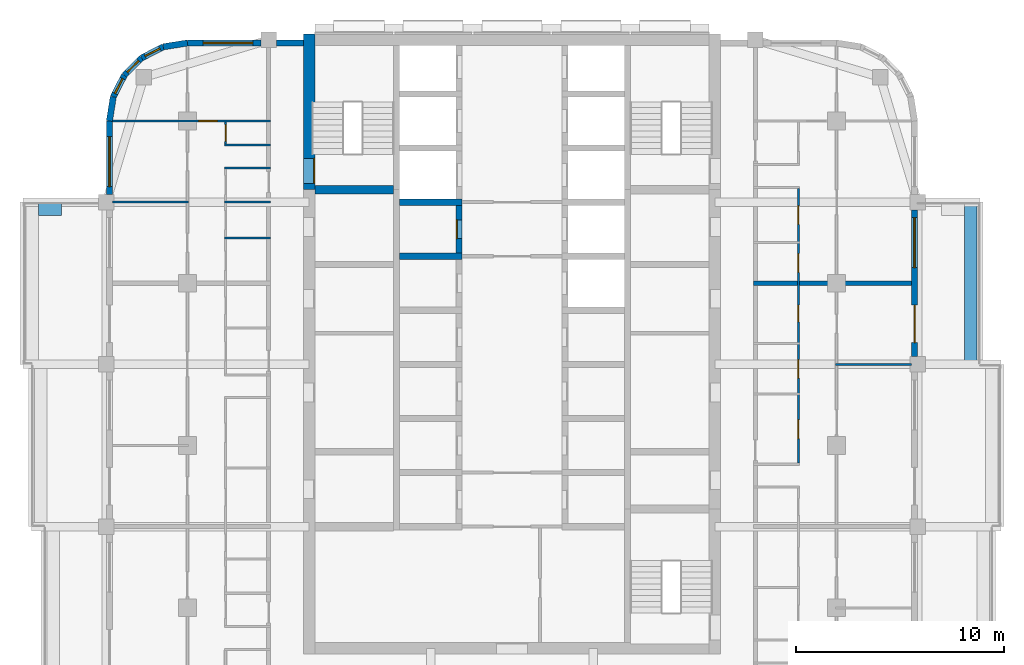
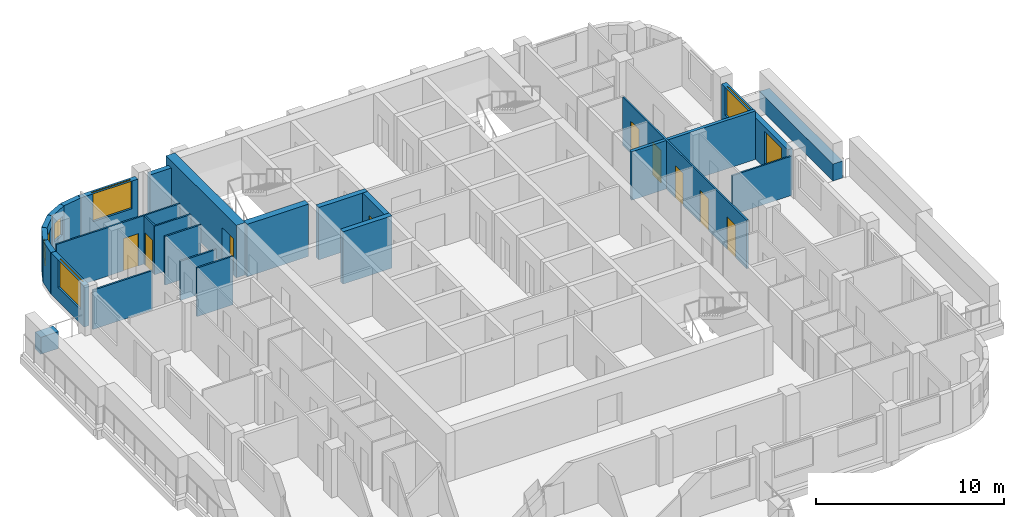
# One storey, part 7 of 13: 26 walls, 10 doors, 6 windows, 16 openings.
"""IFC4 building model written with IfcOpenShell, lengths in metres."""

from ifc_helpers import new_model, si_unit, direction, frame, frame_2d, origin, place, context, subcontext, project, spatial, rectangle, extrude, material, layer, layer_set, type_object, element, fill, save


model = new_model("IFC4")

# Units and contexts
model_context = context("Model", 3, precision=1e-05, world=origin(), true_north=direction((0.0, 1.0)))
body_context = subcontext(model_context, "Body", "Model", "MODEL_VIEW")
ifc_project = project(units=[si_unit("LENGTHUNIT", "METRE"), si_unit("AREAUNIT", "SQUARE_METRE"), si_unit("VOLUMEUNIT", "CUBIC_METRE"), si_unit("PLANEANGLEUNIT", "RADIAN"), si_unit("MASSUNIT", "GRAM", prefix="KILO")], contexts=[model_context])

# Site, building, storey
site_placement = place(None, origin())
site = spatial("IfcSite", under=ifc_project, at=site_placement, CompositionType="ELEMENT")
building_placement = place(site_placement, origin())
building = spatial("IfcBuilding", under=site, at=building_placement, Name="Ludao Terraces", CompositionType="ELEMENT")
storey_placement = place(building_placement, frame((0.0, 0.0, 162.199951171875)))
storey = spatial("IfcBuildingStorey", under=building, at=storey_placement, Name="L44", CompositionType="ELEMENT", Elevation=162.199951171875)

# Wall, opening, door
ifc_material_1 = material(Name="Concrete C60", Category="concrete")
ifc_layer_1 = layer(ifc_material_1, 0.550048828125)
ifc_layer_set_1 = layer_set([ifc_layer_1], Name="Core wall 550 C60")
wall_type_1 = type_object("IfcWallType", Name="Core wall 550 C60", PredefinedType="SOLIDWALL", material=ifc_layer_set_1)
wall_1_placement = place(storey_placement, frame((75.25, 77.300048828125, -0.25), z_axis=(0.0, 0.0, 1.0), x_axis=(0.0, 1.0, 0.0)))
wall_1 = element("IfcWall", 1, at=wall_1_placement, inside=storey, type_object=wall_type_1, Name="Core wall L44 outer-W-S1", PredefinedType="SOLIDWALL", context=body_context, shape_type="SweptSolid", body=[
    extrude(rectangle(XDim=7.474853515625, YDim=0.550048828125, at=frame_2d((3.7373046875, 0.0))), origin(), (0.0, 0.0, 1.0), 3.400146484375),
])
opening_1_placement = place(wall_1_placement, frame((0.300048828125, 0.0, 0.25)))
opening_1 = element("IfcOpeningElement", 2, at=opening_1_placement, cuts=wall_1, Name="Opening R15-075", PredefinedType="OPENING", context=body_context, shape_type="SweptSolid", body=[
    extrude(rectangle(XDim=1.199951171875, YDim=2.10009765625, at=frame_2d((0.60009765625, 1.050048828125))), frame((0.0, 0.28515625, 0.0), z_axis=(0.0, -1.0, 0.0), x_axis=(1.0, 0.0, 0.0)), (0.0, 0.0, 1.0), 0.570068359375),
])
ifc_material_2 = material(Name="Steel Q235", Category="steel")
door_type_1 = type_object("IfcDoorType", Name="INT Stair door 1200", OperationType="DOUBLE_DOOR_SINGLE_SWING", PredefinedType="DOOR", material=ifc_material_2)
door_1_placement = place(opening_1_placement, origin())
door_1 = element("IfcDoor", 3, at=door_1_placement, inside=storey, type_object=door_type_1, Name="DOOR 075", OperationType="DOUBLE_DOOR_SINGLE_SWING", OverallHeight=2.10009765625, OverallWidth=1.199951171875, PredefinedType="DOOR", context=body_context, shape_type="SweptSolid", body=[
    extrude(rectangle(XDim=1.199951171875, YDim=2.10009765625, at=frame_2d((0.60009765625, 1.050048828125))), frame((0.0, -0.2099609375, 0.0), z_axis=(0.0, -1.0, 0.0), x_axis=(1.0, 0.0, 0.0)), (0.0, 0.0, 1.0), 0.050048828125),
])
fill(opening_1, door_1)

# Walls
ifc_material_3 = material(Name="Concrete C40", Category="concrete")
ifc_layer_2 = layer(ifc_material_3, 0.60009765625)
ifc_layer_set_2 = layer_set([ifc_layer_2], Name="ENV Planter trough 600")
wall_type_2 = type_object("IfcWallType", Name="ENV Planter trough 600", PredefinedType="USERDEFINED", material=ifc_layer_set_2)
wall_2_placement = place(storey_placement, frame((107.050048828125, 68.89990234375, 0.0), z_axis=(0.0, 0.0, 1.0), x_axis=(0.0, 1.0, 0.0)))
element("IfcWall", 4, at=wall_2_placement, inside=storey, type_object=wall_type_2, Name="PL-L44-E3", ObjectType="PLANTER", PredefinedType="USERDEFINED", context=body_context, shape_type="SweptSolid", body=[
    extrude(rectangle(XDim=7.800048828125, YDim=0.60009765625, at=frame_2d((3.89990234375, 0.0))), origin(), (0.0, 0.0, 1.0), 1.10009765625),
])
wall_3_placement = place(storey_placement, frame((62.25, 76.35009765625, 0.0), z_axis=(0.0, 0.0, 1.0), x_axis=(1.0, 0.0, 0.0)))
element("IfcWall", 5, at=wall_3_placement, inside=storey, type_object=wall_type_2, Name="PL-L44-W3-SB", ObjectType="PLANTER", PredefinedType="USERDEFINED", context=body_context, shape_type="SweptSolid", body=[
    extrude(rectangle(XDim=1.10009765625, YDim=0.60009765625, at=frame_2d((0.550048828125, 0.0))), origin(), (0.0, 0.0, 1.0), 1.10009765625),
])

# Wall, openings, door, window
ifc_material_4 = material(Name="Granite cladding", Category="masonry")
ifc_layer_3 = layer(ifc_material_4, 0.0400390625, Category="stone")
ifc_material_5 = material(Name="Mineral wool")
ifc_layer_4 = layer(ifc_material_5, 0.06005859375)
ifc_layer_5 = layer(ifc_material_3, 0.199951171875, Category="concrete")
ifc_layer_set_3 = layer_set([ifc_layer_3, ifc_layer_4, ifc_layer_5], Name="ENV Stone-clad wall 300")
wall_type_3 = type_object("IfcWallType", Name="ENV Stone-clad wall 300", PredefinedType="SOLIDWALL", material=ifc_layer_set_3)
wall_4_placement = place(storey_placement, frame((104.35009765625, 69.27490234375, 0.0), z_axis=(0.0, 0.0, 1.0), x_axis=(0.0, 1.0, 0.0)))
wall_4 = element("IfcWall", 6, at=wall_4_placement, inside=storey, type_object=wall_type_3, Name="EW-L44-E4", PredefinedType="SOLIDWALL", context=body_context, shape_type="SweptSolid", body=[
    extrude(rectangle(XDim=7.050048828125, YDim=0.300048828125, at=frame_2d((3.52490234375, 0.0))), origin(), (0.0, 0.0, 1.0), 2.699951171875),
])
opening_2_placement = place(wall_4_placement, frame((0.675048828125, 0.0, 0.0)))
opening_2 = element("IfcOpeningElement", 7, at=opening_2_placement, cuts=wall_4, Name="Opening BD", PredefinedType="OPENING", context=body_context, shape_type="SweptSolid", body=[
    extrude(rectangle(XDim=1.800048828125, YDim=2.39990234375, at=frame_2d((0.89990234375, 1.199951171875))), frame((0.0, 0.16015625, 0.0), z_axis=(0.0, -1.0, 0.0), x_axis=(1.0, 0.0, 0.0)), (0.0, 0.0, 1.0), 0.320068359375),
])
opening_3_placement = place(wall_4_placement, frame((4.27490234375, 0.0, 0.89990234375)))
opening_3 = element("IfcOpeningElement", 8, at=opening_3_placement, cuts=wall_4, Name="Opening W1", PredefinedType="OPENING", context=body_context, shape_type="SweptSolid", body=[
    extrude(rectangle(XDim=2.39990234375, YDim=1.800048828125, at=frame_2d((1.199951171875, 0.89990234375))), frame((0.0, 0.16015625, 0.0), z_axis=(0.0, -1.0, 0.0), x_axis=(1.0, 0.0, 0.0)), (0.0, 0.0, 1.0), 0.320068359375),
])
ifc_material_6 = material(Name="Aluminium glazed door", Category="aluminium")
ifc_layer_6 = layer(ifc_material_6, 0.06005859375)
ifc_layer_set_4 = layer_set([ifc_layer_6], Name="ENV Balcony door BD 1800x2400")
door_type_2 = type_object("IfcDoorType", Name="ENV Balcony door BD 1800x2400", OperationType="DOUBLE_DOOR_SINGLE_SWING", PredefinedType="DOOR", material=ifc_layer_set_4)
door_2_placement = place(opening_2_placement, origin())
door_2 = element("IfcDoor", 9, at=door_2_placement, inside=storey, type_object=door_type_2, Name="BD-L44-E4-1", OperationType="DOUBLE_DOOR_SINGLE_SWING", OverallHeight=2.39990234375, OverallWidth=1.800048828125, PredefinedType="DOOR", context=body_context, shape_type="SweptSolid", body=[
    extrude(rectangle(XDim=1.800048828125, YDim=2.39990234375, at=frame_2d((0.89990234375, 1.199951171875))), frame((0.0, 0.02490234375, 0.0), z_axis=(0.0, -1.0, 0.0), x_axis=(1.0, 0.0, 0.0)), (0.0, 0.0, 1.0), 0.050048828125),
])
fill(opening_2, door_2)
ifc_material_7 = material(Name="Clear glass in aluminium frame", Category="aluminium")
ifc_layer_7 = layer(ifc_material_7, 0.06005859375)
ifc_layer_set_5 = layer_set([ifc_layer_7], Name="ENV Window W1 2400x1800")
window_type_1 = type_object("IfcWindowType", Name="ENV Window W1 2400x1800", PartitioningType="DOUBLE_PANEL_VERTICAL", PredefinedType="WINDOW", material=ifc_layer_set_5)
window_1_placement = place(opening_3_placement, origin())
window_1 = element("IfcWindow", 10, at=window_1_placement, inside=storey, type_object=window_type_1, Name="W-L44-E4-2", OverallHeight=1.800048828125, OverallWidth=2.39990234375, PartitioningType="DOUBLE_PANEL_VERTICAL", PredefinedType="WINDOW", context=body_context, shape_type="SweptSolid", body=[
    extrude(rectangle(XDim=2.39990234375, YDim=1.800048828125, at=frame_2d((1.199951171875, 0.89990234375))), frame((0.0, 0.030029296875, 0.0), z_axis=(0.0, -1.0, 0.0), x_axis=(1.0, 0.0, 0.0)), (0.0, 0.0, 1.0), 0.06005859375),
])
fill(opening_3, window_1)

# Wall, opening, window
wall_5_placement = place(storey_placement, frame((69.39990234375, 84.35009765625, 0.0), z_axis=(0.0, 0.0, 1.0), x_axis=(1.0, 0.0, 0.0)))
wall_5 = element("IfcWall", 11, at=wall_5_placement, inside=storey, type_object=wall_type_3, Name="EW-L44-N1", PredefinedType="SOLIDWALL", context=body_context, shape_type="SweptSolid", body=[
    extrude(rectangle(XDim=3.525146484375, YDim=0.300048828125, at=frame_2d((1.7626953125, 0.0))), origin(), (0.0, 0.0, 1.0), 2.699951171875),
])
opening_4_placement = place(wall_5_placement, frame((0.75, 0.0, 0.89990234375)))
opening_4 = element("IfcOpeningElement", 12, at=opening_4_placement, cuts=wall_5, Name="Opening W1", PredefinedType="OPENING", context=body_context, shape_type="SweptSolid", body=[
    extrude(rectangle(XDim=2.39990234375, YDim=1.800048828125, at=frame_2d((1.199951171875, 0.89990234375))), frame((0.0, 0.16015625, 0.0), z_axis=(0.0, -1.0, 0.0), x_axis=(1.0, 0.0, 0.0)), (0.0, 0.0, 1.0), 0.320068359375),
])
window_2_placement = place(opening_4_placement, origin())
window_2 = element("IfcWindow", 13, at=window_2_placement, inside=storey, type_object=window_type_1, Name="W-L44-N1-1", OverallHeight=1.800048828125, OverallWidth=2.39990234375, PartitioningType="DOUBLE_PANEL_VERTICAL", PredefinedType="WINDOW", context=body_context, shape_type="SweptSolid", body=[
    extrude(rectangle(XDim=2.39990234375, YDim=1.800048828125, at=frame_2d((1.199951171875, 0.89990234375))), frame((0.0, 0.030029296875, 0.0), z_axis=(0.0, -1.0, 0.0), x_axis=(1.0, 0.0, 0.0)), (0.0, 0.0, 1.0), 0.06005859375),
])
fill(opening_4, window_2)

# Wall
wall_6_placement = place(storey_placement, frame((73.675048828125, 84.35009765625, 0.0), z_axis=(0.0, 0.0, 1.0), x_axis=(1.0, 0.0, 0.0)))
element("IfcWall", 14, at=wall_6_placement, inside=storey, type_object=wall_type_3, Name="EW-L44-N2", PredefinedType="SOLIDWALL", context=body_context, shape_type="SweptSolid", body=[
    extrude(rectangle(XDim=1.300048828125, YDim=0.300048828125, at=frame_2d((0.64990234375, 0.0))), origin(), (0.0, 0.0, 1.0), 2.699951171875),
])

# Wall, opening, window
wall_7_placement = place(storey_placement, frame((65.64990234375, 77.074951171875, 0.0), z_axis=(0.0, 0.0, 1.0), x_axis=(0.0, 1.0, 0.0)))
wall_7 = element("IfcWall", 15, at=wall_7_placement, inside=storey, type_object=wall_type_3, Name="EW-L44-W5", PredefinedType="SOLIDWALL", context=body_context, shape_type="SweptSolid", body=[
    extrude(rectangle(XDim=3.525146484375, YDim=0.300048828125, at=frame_2d((1.7626953125, 0.0))), origin(), (0.0, 0.0, 1.0), 2.699951171875),
])
opening_5_placement = place(wall_7_placement, frame((0.375, 0.0, 0.89990234375)))
opening_5 = element("IfcOpeningElement", 16, at=opening_5_placement, cuts=wall_7, Name="Opening W1", PredefinedType="OPENING", context=body_context, shape_type="SweptSolid", body=[
    extrude(rectangle(XDim=2.39990234375, YDim=1.800048828125, at=frame_2d((1.199951171875, 0.89990234375))), frame((0.0, 0.16015625, 0.0), z_axis=(0.0, -1.0, 0.0), x_axis=(1.0, 0.0, 0.0)), (0.0, 0.0, 1.0), 0.320068359375),
])
window_3_placement = place(opening_5_placement, origin())
window_3 = element("IfcWindow", 17, at=window_3_placement, inside=storey, type_object=window_type_1, Name="W-L44-W5-1", OverallHeight=1.800048828125, OverallWidth=2.39990234375, PartitioningType="DOUBLE_PANEL_VERTICAL", PredefinedType="WINDOW", context=body_context, shape_type="SweptSolid", body=[
    extrude(rectangle(XDim=2.39990234375, YDim=1.800048828125, at=frame_2d((1.199951171875, 0.89990234375))), frame((0.0, 0.030029296875, 0.0), z_axis=(0.0, -1.0, 0.0), x_axis=(1.0, 0.0, 0.0)), (0.0, 0.0, 1.0), 0.06005859375),
])
fill(opening_5, window_3)

# Wall
wall_8_placement = place(storey_placement, frame((69.39990234375, 84.35009765625, 0.0), z_axis=(0.0, 0.0, 1.0), x_axis=(-0.987678452879, -0.156496880861, 0.0)))
element("IfcWall", 18, at=wall_8_placement, inside=storey, type_object=wall_type_3, Name="EW-L44-NW1", PredefinedType="SOLIDWALL", context=body_context, shape_type="SweptSolid", body=[
    extrude(rectangle(XDim=1.173095703125, YDim=0.300048828125, at=frame_2d((0.58642578125, 0.0))), origin(), (0.0, 0.0, 1.0), 2.699951171875),
])

# Wall, opening, window
wall_9_placement = place(storey_placement, frame((68.2412109375, 84.16650390625, 0.0), z_axis=(0.0, 0.0, 1.0), x_axis=(-0.890988677504, -0.454025524128, 0.0)))
wall_9 = element("IfcWall", 19, at=wall_9_placement, inside=storey, type_object=wall_type_3, Name="EW-L44-NW2", PredefinedType="SOLIDWALL", context=body_context, shape_type="SweptSolid", body=[
    extrude(rectangle(XDim=1.17333984375, YDim=0.300048828125, at=frame_2d((0.586669921875, 0.0))), origin(), (0.0, 0.0, 1.0), 2.699951171875),
])
opening_6_placement = place(wall_9_placement, frame((0.1865234375, 0.0, 0.89990234375)))
opening_6 = element("IfcOpeningElement", 20, at=opening_6_placement, cuts=wall_9, Name="Opening W3", PredefinedType="OPENING", context=body_context, shape_type="SweptSolid", body=[
    extrude(rectangle(XDim=0.800048828125, YDim=1.199951171875, at=frame_2d((0.39990234375, 0.60009765625))), frame((0.0, 0.16015625, 0.0), z_axis=(0.0, -1.0, 0.0), x_axis=(1.0, 0.0, 0.0)), (0.0, 0.0, 1.0), 0.320068359375),
])
ifc_layer_8 = layer(ifc_material_7, 0.06005859375)
ifc_layer_set_6 = layer_set([ifc_layer_8], Name="ENV Window W3 800x1200")
window_type_2 = type_object("IfcWindowType", Name="ENV Window W3 800x1200", PartitioningType="SINGLE_PANEL", PredefinedType="WINDOW", material=ifc_layer_set_6)
window_4_placement = place(opening_6_placement, origin())
window_4 = element("IfcWindow", 21, at=window_4_placement, inside=storey, type_object=window_type_2, Name="W-L44-NW2", OverallHeight=1.199951171875, OverallWidth=0.800048828125, PartitioningType="SINGLE_PANEL", PredefinedType="WINDOW", context=body_context, shape_type="SweptSolid", body=[
    extrude(rectangle(XDim=0.800048828125, YDim=1.199951171875, at=frame_2d((0.39990234375, 0.60009765625))), frame((0.0, 0.030029296875, 0.0), z_axis=(0.0, -1.0, 0.0), x_axis=(1.0, 0.0, 0.0)), (0.0, 0.0, 1.0), 0.06005859375),
])
fill(opening_6, window_4)

wall_10_placement = place(storey_placement, frame((67.19580078125, 83.6337890625, 0.0), z_axis=(0.0, 0.0, 1.0), x_axis=(-0.707106781187, -0.707106781187, 0.0)))
wall_10 = element("IfcWall", 22, at=wall_10_placement, inside=storey, type_object=wall_type_3, Name="EW-L44-NW3", PredefinedType="SOLIDWALL", context=body_context, shape_type="SweptSolid", body=[
    extrude(rectangle(XDim=1.173095703125, YDim=0.300048828125, at=frame_2d((0.58642578125, 0.0))), origin(), (0.0, 0.0, 1.0), 2.699951171875),
])
opening_7_placement = place(wall_10_placement, frame((0.1865234375, 0.0, 0.89990234375)))
opening_7 = element("IfcOpeningElement", 23, at=opening_7_placement, cuts=wall_10, Name="Opening W3", PredefinedType="OPENING", context=body_context, shape_type="SweptSolid", body=[
    extrude(rectangle(XDim=0.800048828125, YDim=1.199951171875, at=frame_2d((0.39990234375, 0.60009765625))), frame((0.0, 0.16015625, 0.0), z_axis=(0.0, -1.0, 0.0), x_axis=(1.0, 0.0, 0.0)), (0.0, 0.0, 1.0), 0.320068359375),
])
window_5_placement = place(opening_7_placement, origin())
window_5 = element("IfcWindow", 24, at=window_5_placement, inside=storey, type_object=window_type_2, Name="W-L44-NW3", OverallHeight=1.199951171875, OverallWidth=0.800048828125, PartitioningType="SINGLE_PANEL", PredefinedType="WINDOW", context=body_context, shape_type="SweptSolid", body=[
    extrude(rectangle(XDim=0.800048828125, YDim=1.199951171875, at=frame_2d((0.39990234375, 0.60009765625))), frame((0.0, 0.030029296875, 0.0), z_axis=(0.0, -1.0, 0.0), x_axis=(1.0, 0.0, 0.0)), (0.0, 0.0, 1.0), 0.06005859375),
])
fill(opening_7, window_5)

wall_11_placement = place(storey_placement, frame((66.3662109375, 82.80419921875, 0.0), z_axis=(0.0, 0.0, 1.0), x_axis=(-0.454025524128, -0.890988677504, 0.0)))
wall_11 = element("IfcWall", 25, at=wall_11_placement, inside=storey, type_object=wall_type_3, Name="EW-L44-NW4", PredefinedType="SOLIDWALL", context=body_context, shape_type="SweptSolid", body=[
    extrude(rectangle(XDim=1.17333984375, YDim=0.300048828125, at=frame_2d((0.586669921875, 0.0))), origin(), (0.0, 0.0, 1.0), 2.699951171875),
])
opening_8_placement = place(wall_11_placement, frame((0.1865234375, 0.0, 0.89990234375)))
opening_8 = element("IfcOpeningElement", 26, at=opening_8_placement, cuts=wall_11, Name="Opening W3", PredefinedType="OPENING", context=body_context, shape_type="SweptSolid", body=[
    extrude(rectangle(XDim=0.800048828125, YDim=1.199951171875, at=frame_2d((0.39990234375, 0.60009765625))), frame((0.0, 0.16015625, 0.0), z_axis=(0.0, -1.0, 0.0), x_axis=(1.0, 0.0, 0.0)), (0.0, 0.0, 1.0), 0.320068359375),
])
window_6_placement = place(opening_8_placement, origin())
window_6 = element("IfcWindow", 27, at=window_6_placement, inside=storey, type_object=window_type_2, Name="W-L44-NW4", OverallHeight=1.199951171875, OverallWidth=0.800048828125, PartitioningType="SINGLE_PANEL", PredefinedType="WINDOW", context=body_context, shape_type="SweptSolid", body=[
    extrude(rectangle(XDim=0.800048828125, YDim=1.199951171875, at=frame_2d((0.39990234375, 0.60009765625))), frame((0.0, 0.030029296875, 0.0), z_axis=(0.0, -1.0, 0.0), x_axis=(1.0, 0.0, 0.0)), (0.0, 0.0, 1.0), 0.06005859375),
])
fill(opening_8, window_6)

# Walls
wall_12_placement = place(storey_placement, frame((65.83349609375, 81.7587890625, 0.0), z_axis=(0.0, 0.0, 1.0), x_axis=(-0.156496880861, -0.987678452879, 0.0)))
element("IfcWall", 28, at=wall_12_placement, inside=storey, type_object=wall_type_3, Name="EW-L44-NW5", PredefinedType="SOLIDWALL", context=body_context, shape_type="SweptSolid", body=[
    extrude(rectangle(XDim=1.173095703125, YDim=0.300048828125, at=frame_2d((0.58642578125, 0.0))), origin(), (0.0, 0.0, 1.0), 2.699951171875),
])
ifc_material_8 = material(Name="Gypsum plasterboard", Category="gypsum")
ifc_layer_9 = layer(ifc_material_8, 0.012451171875, Category="gypsum")
ifc_layer_10 = layer(ifc_material_5, 0.06005859375, Name="insulation")
ifc_layer_11 = layer(ifc_material_2, 0.014892578125, Name="stud")
ifc_layer_12 = layer(ifc_material_8, 0.012451171875, Category="gypsum")
ifc_layer_set_7 = layer_set([ifc_layer_9, ifc_layer_10, ifc_layer_11, ifc_layer_12], Name="INT Partition 100")
wall_type_4 = type_object("IfcWallType", Name="INT Partition 100", PredefinedType="PARTITIONING", material=ifc_layer_set_7)
wall_13_placement = place(storey_placement, frame((100.550048828125, 68.89990234375, 0.0), z_axis=(0.0, 0.0, 1.0), x_axis=(1.0, 0.0, 0.0)))
element("IfcWall", 29, at=wall_13_placement, inside=storey, type_object=wall_type_4, Name="PW-L44-PW027", PredefinedType="PARTITIONING", context=body_context, shape_type="SweptSolid", body=[
    extrude(rectangle(XDim=3.650146484375, YDim=0.10009765625, at=frame_2d((1.8251953125, 0.0))), origin(), (0.0, 0.0, 1.0), 2.550048828125),
])
wall_14_placement = place(storey_placement, frame((71.18017578125, 74.969970703125, 0.0), z_axis=(0.0, 0.0, 1.0), x_axis=(1.0, 0.0, 0.0)))
element("IfcWall", 30, at=wall_14_placement, inside=storey, type_object=wall_type_4, Name="PW-L44-PW036", PredefinedType="PARTITIONING", context=body_context, shape_type="SweptSolid", body=[
    extrude(rectangle(XDim=2.219970703125, YDim=0.10009765625, at=frame_2d((1.10986328125, 0.0))), origin(), (0.0, 0.0, 1.0), 3.150146484375),
])
wall_15_placement = place(storey_placement, frame((65.800048828125, 76.699951171875, 0.0), z_axis=(0.0, 0.0, 1.0), x_axis=(1.0, 0.0, 0.0)))
element("IfcWall", 31, at=wall_15_placement, inside=storey, type_object=wall_type_4, Name="PW-L44-PW037", PredefinedType="PARTITIONING", context=body_context, shape_type="SweptSolid", body=[
    extrude(rectangle(XDim=3.650146484375, YDim=0.10009765625, at=frame_2d((1.8251953125, 0.0))), origin(), (0.0, 0.0, 1.0), 2.550048828125),
])
wall_16_placement = place(storey_placement, frame((71.18017578125, 76.699951171875, 0.0), z_axis=(0.0, 0.0, 1.0), x_axis=(1.0, 0.0, 0.0)))
element("IfcWall", 32, at=wall_16_placement, inside=storey, type_object=wall_type_4, Name="PW-L44-PW038", PredefinedType="PARTITIONING", context=body_context, shape_type="SweptSolid", body=[
    extrude(rectangle(XDim=2.219970703125, YDim=0.10009765625, at=frame_2d((1.10986328125, 0.0))), origin(), (0.0, 0.0, 1.0), 2.550048828125),
])
for number, where, z_axis, x_axis, name in (
    (33, (71.18017578125, 78.35009765625, 0.0), (0.0, 0.0, 1.0), (1.0, 0.0, 0.0), "PW-L44-PW041"),
    (34, (71.18017578125, 79.449951171875, 0.0), (0.0, 0.0, 1.0), (1.0, 0.0, 0.0), "PW-L44-PW043"),
):
    element("IfcWall", number, at=place(storey_placement, frame(where, z_axis=z_axis, x_axis=x_axis)), inside=storey, type_object=wall_type_4, Name=name, PredefinedType="PARTITIONING", context=body_context, shape_type="SweptSolid", body=[
        extrude(rectangle(XDim=2.219970703125, YDim=0.10009765625, at=frame_2d((1.10986328125, 0.0))), origin(), (0.0, 0.0, 1.0), 3.150146484375),
    ])

# Wall, opening, door
wall_17_placement = place(storey_placement, frame((65.800048828125, 80.60009765625, 0.0), z_axis=(0.0, 0.0, 1.0), x_axis=(1.0, 0.0, 0.0)))
wall_17 = element("IfcWall", 35, at=wall_17_placement, inside=storey, type_object=wall_type_4, Name="PW-L44-PW044", PredefinedType="PARTITIONING", context=body_context, shape_type="SweptSolid", body=[
    extrude(rectangle(XDim=7.60009765625, YDim=0.10009765625, at=frame_2d((3.800048828125, 0.0))), origin(), (0.0, 0.0, 1.0), 3.150146484375),
])
opening_9_placement = place(wall_17_placement, frame((4.139892578125, 0.0, 0.0)))
opening_9 = element("IfcOpeningElement", 36, at=opening_9_placement, cuts=wall_17, Name="Opening R15-081", PredefinedType="OPENING", context=body_context, shape_type="SweptSolid", body=[
    extrude(rectangle(XDim=0.89990234375, YDim=2.10009765625, at=frame_2d((0.449951171875, 1.050048828125))), frame((0.0, 0.06005859375, 0.0), z_axis=(0.0, -1.0, 0.0), x_axis=(1.0, 0.0, 0.0)), (0.0, 0.0, 1.0), 0.1201171875),
])
ifc_material_9 = material(Name="Timber door leaf", Category="wood")
door_type_3 = type_object("IfcDoorType", Name="INT Room door 900", OperationType="SINGLE_SWING_LEFT", PredefinedType="DOOR", material=ifc_material_9)
door_3_placement = place(opening_9_placement, origin())
door_3 = element("IfcDoor", 37, at=door_3_placement, inside=storey, type_object=door_type_3, Name="DOOR 081", OperationType="SINGLE_SWING_LEFT", OverallHeight=2.10009765625, OverallWidth=0.89990234375, PredefinedType="DOOR", context=body_context, shape_type="SweptSolid", body=[
    extrude(rectangle(XDim=0.89990234375, YDim=2.10009765625, at=frame_2d((0.449951171875, 1.050048828125))), frame((0.0, 0.02490234375, 0.0), z_axis=(0.0, -1.0, 0.0), x_axis=(1.0, 0.0, 0.0)), (0.0, 0.0, 1.0), 0.050048828125),
])
fill(opening_9, door_3)

wall_18_placement = place(storey_placement, frame((71.22998046875, 79.5, 0.0), z_axis=(0.0, 0.0, 1.0), x_axis=(0.0, 1.0, 0.0)))
wall_18 = element("IfcWall", 38, at=wall_18_placement, inside=storey, type_object=wall_type_4, Name="PW-L44-PW050", PredefinedType="PARTITIONING", context=body_context, shape_type="SweptSolid", body=[
    extrude(rectangle(XDim=1.050048828125, YDim=0.10009765625, at=frame_2d((0.52490234375, 0.0))), origin(), (0.0, 0.0, 1.0), 3.150146484375),
])
opening_10_placement = place(wall_18_placement, frame((0.125, 0.0, 0.0)))
opening_10 = element("IfcOpeningElement", 39, at=opening_10_placement, cuts=wall_18, Name="Opening R15-080", PredefinedType="OPENING", context=body_context, shape_type="SweptSolid", body=[
    extrude(rectangle(XDim=0.800048828125, YDim=2.10009765625, at=frame_2d((0.39990234375, 1.050048828125))), frame((0.0, 0.06005859375, 0.0), z_axis=(0.0, -1.0, 0.0), x_axis=(1.0, 0.0, 0.0)), (0.0, 0.0, 1.0), 0.1201171875),
])
door_type_4 = type_object("IfcDoorType", Name="INT Store door 800", OperationType="SINGLE_SWING_LEFT", PredefinedType="DOOR", material=ifc_material_9)
door_4_placement = place(opening_10_placement, origin())
door_4 = element("IfcDoor", 40, at=door_4_placement, inside=storey, type_object=door_type_4, Name="DOOR 080", OperationType="SINGLE_SWING_LEFT", OverallHeight=2.10009765625, OverallWidth=0.800048828125, PredefinedType="DOOR", context=body_context, shape_type="SweptSolid", body=[
    extrude(rectangle(XDim=0.800048828125, YDim=2.10009765625, at=frame_2d((0.39990234375, 1.050048828125))), frame((0.0, 0.02490234375, 0.0), z_axis=(0.0, -1.0, 0.0), x_axis=(1.0, 0.0, 0.0)), (0.0, 0.0, 1.0), 0.050048828125),
])
fill(opening_10, door_4)

# Wall, openings, doors
wall_19_placement = place(storey_placement, frame((98.77001953125, 64.150146484375, 0.0), z_axis=(0.0, 0.0, 1.0), x_axis=(0.0, 1.0, 0.0)))
wall_19 = element("IfcWall", 41, at=wall_19_placement, inside=storey, type_object=wall_type_4, Name="PW-L44-PW059", PredefinedType="PARTITIONING", context=body_context, shape_type="SweptSolid", body=[
    extrude(rectangle(XDim=13.199951171875, YDim=0.10009765625, at=frame_2d((6.60009765625, 0.0))), origin(), (0.0, 0.0, 1.0), 3.150146484375),
])
opening_11_placement = place(wall_19_placement, frame((1.18505859375, 0.0, 0.0)))
opening_11 = element("IfcOpeningElement", 42, at=opening_11_placement, cuts=wall_19, Name="Opening R15-040", PredefinedType="OPENING", context=body_context, shape_type="SweptSolid", body=[
    extrude(rectangle(XDim=0.89990234375, YDim=2.10009765625, at=frame_2d((0.449951171875, 1.050048828125))), frame((0.0, 0.06005859375, 0.0), z_axis=(0.0, -1.0, 0.0), x_axis=(1.0, 0.0, 0.0)), (0.0, 0.0, 1.0), 0.1201171875),
])
opening_12_placement = place(wall_19_placement, frame((4.0849609375, 0.0, 0.0)))
opening_12 = element("IfcOpeningElement", 43, at=opening_12_placement, cuts=wall_19, Name="Opening R15-046", PredefinedType="OPENING", context=body_context, shape_type="SweptSolid", body=[
    extrude(rectangle(XDim=0.89990234375, YDim=2.10009765625, at=frame_2d((0.449951171875, 1.050048828125))), frame((0.0, 0.06005859375, 0.0), z_axis=(0.0, -1.0, 0.0), x_axis=(1.0, 0.0, 0.0)), (0.0, 0.0, 1.0), 0.1201171875),
])
opening_13_placement = place(wall_19_placement, frame((6.800048828125, 0.0, 0.0)))
opening_13 = element("IfcOpeningElement", 44, at=opening_13_placement, cuts=wall_19, Name="Opening R15-053", PredefinedType="OPENING", context=body_context, shape_type="SweptSolid", body=[
    extrude(rectangle(XDim=0.800048828125, YDim=2.10009765625, at=frame_2d((0.39990234375, 1.050048828125))), frame((0.0, 0.06005859375, 0.0), z_axis=(0.0, -1.0, 0.0), x_axis=(1.0, 0.0, 0.0)), (0.0, 0.0, 1.0), 0.1201171875),
])
opening_14_placement = place(wall_19_placement, frame((9.175048828125, 0.0, 0.0)))
opening_14 = element("IfcOpeningElement", 45, at=opening_14_placement, cuts=wall_19, Name="Opening R15-059", PredefinedType="OPENING", context=body_context, shape_type="SweptSolid", body=[
    extrude(rectangle(XDim=0.89990234375, YDim=2.10009765625, at=frame_2d((0.449951171875, 1.050048828125))), frame((0.0, 0.06005859375, 0.0), z_axis=(0.0, -1.0, 0.0), x_axis=(1.0, 0.0, 0.0)), (0.0, 0.0, 1.0), 0.1201171875),
])
opening_15_placement = place(wall_19_placement, frame((11.47509765625, 0.0, 0.0)))
opening_15 = element("IfcOpeningElement", 46, at=opening_15_placement, cuts=wall_19, Name="Opening R15-068", PredefinedType="OPENING", context=body_context, shape_type="SweptSolid", body=[
    extrude(rectangle(XDim=0.89990234375, YDim=2.10009765625, at=frame_2d((0.449951171875, 1.050048828125))), frame((0.0, 0.06005859375, 0.0), z_axis=(0.0, -1.0, 0.0), x_axis=(1.0, 0.0, 0.0)), (0.0, 0.0, 1.0), 0.1201171875),
])
door_type_5 = type_object("IfcDoorType", Name="INT Bathroom door 900", OperationType="SINGLE_SWING_LEFT", PredefinedType="DOOR", material=ifc_material_9)
door_5_placement = place(opening_12_placement, origin())
door_5 = element("IfcDoor", 47, at=door_5_placement, inside=storey, type_object=door_type_5, Name="DOOR 046", OperationType="SINGLE_SWING_RIGHT", OverallHeight=2.10009765625, OverallWidth=0.89990234375, PredefinedType="DOOR", context=body_context, shape_type="SweptSolid", body=[
    extrude(rectangle(XDim=0.89990234375, YDim=2.10009765625, at=frame_2d((0.449951171875, 1.050048828125))), frame((0.0, 0.02490234375, 0.0), z_axis=(0.0, -1.0, 0.0), x_axis=(1.0, 0.0, 0.0)), (0.0, 0.0, 1.0), 0.050048828125),
])
fill(opening_12, door_5)
door_6_placement = place(opening_14_placement, origin())
door_6 = element("IfcDoor", 48, at=door_6_placement, inside=storey, type_object=door_type_5, Name="DOOR 059", OperationType="SINGLE_SWING_LEFT", OverallHeight=2.10009765625, OverallWidth=0.89990234375, PredefinedType="DOOR", context=body_context, shape_type="SweptSolid", body=[
    extrude(rectangle(XDim=0.89990234375, YDim=2.10009765625, at=frame_2d((0.449951171875, 1.050048828125))), frame((0.0, 0.02490234375, 0.0), z_axis=(0.0, -1.0, 0.0), x_axis=(1.0, 0.0, 0.0)), (0.0, 0.0, 1.0), 0.050048828125),
])
fill(opening_14, door_6)
door_7_placement = place(opening_11_placement, origin())
door_7 = element("IfcDoor", 49, at=door_7_placement, inside=storey, type_object=door_type_3, Name="DOOR 040", OperationType="SINGLE_SWING_LEFT", OverallHeight=2.10009765625, OverallWidth=0.89990234375, PredefinedType="DOOR", context=body_context, shape_type="SweptSolid", body=[
    extrude(rectangle(XDim=0.89990234375, YDim=2.10009765625, at=frame_2d((0.449951171875, 1.050048828125))), frame((0.0, 0.02490234375, 0.0), z_axis=(0.0, -1.0, 0.0), x_axis=(1.0, 0.0, 0.0)), (0.0, 0.0, 1.0), 0.050048828125),
])
fill(opening_11, door_7)
door_8_placement = place(opening_15_placement, origin())
door_8 = element("IfcDoor", 50, at=door_8_placement, inside=storey, type_object=door_type_3, Name="DOOR 068", OperationType="SINGLE_SWING_RIGHT", OverallHeight=2.10009765625, OverallWidth=0.89990234375, PredefinedType="DOOR", context=body_context, shape_type="SweptSolid", body=[
    extrude(rectangle(XDim=0.89990234375, YDim=2.10009765625, at=frame_2d((0.449951171875, 1.050048828125))), frame((0.0, 0.02490234375, 0.0), z_axis=(0.0, -1.0, 0.0), x_axis=(1.0, 0.0, 0.0)), (0.0, 0.0, 1.0), 0.050048828125),
])
fill(opening_15, door_8)
door_9_placement = place(opening_13_placement, origin())
door_9 = element("IfcDoor", 51, at=door_9_placement, inside=storey, type_object=door_type_4, Name="DOOR 053", OperationType="SINGLE_SWING_LEFT", OverallHeight=2.10009765625, OverallWidth=0.800048828125, PredefinedType="DOOR", context=body_context, shape_type="SweptSolid", body=[
    extrude(rectangle(XDim=0.800048828125, YDim=2.10009765625, at=frame_2d((0.39990234375, 1.050048828125))), frame((0.0, 0.02490234375, 0.0), z_axis=(0.0, -1.0, 0.0), x_axis=(1.0, 0.0, 0.0)), (0.0, 0.0, 1.0), 0.050048828125),
])
fill(opening_13, door_9)

# Walls
ifc_material_10 = material(Name="Autoclaved aerated concrete block B06 A3.5", Category="concrete")
ifc_layer_13 = layer(ifc_material_10, 0.199951171875)
ifc_layer_set_8 = layer_set([ifc_layer_13], Name="INT Party wall 200")
wall_type_5 = type_object("IfcWallType", Name="INT Party wall 200", PredefinedType="PARTITIONING", material=ifc_layer_set_8)
wall_20_placement = place(storey_placement, frame((96.60009765625, 72.800048828125, 0.0), z_axis=(0.0, 0.0, 1.0), x_axis=(1.0, 0.0, 0.0)))
element("IfcWall", 52, at=wall_20_placement, inside=storey, type_object=wall_type_5, Name="PW-L44-PW033", PredefinedType="PARTITIONING", context=body_context, shape_type="SweptSolid", body=[
    extrude(rectangle(XDim=7.60009765625, YDim=0.199951171875, at=frame_2d((3.800048828125, 0.0))), origin(), (0.0, 0.0, 1.0), 3.150146484375),
])
ifc_material_11 = material(Name="Concrete C55", Category="concrete")
ifc_layer_14 = layer(ifc_material_11, 0.300048828125)
ifc_layer_set_9 = layer_set([ifc_layer_14], Name="Shaft wall 300 C55")
wall_type_6 = type_object("IfcWallType", Name="Shaft wall 300 C55", PredefinedType="SOLIDWALL", material=ifc_layer_set_9)
wall_21_placement = place(storey_placement, frame((79.60009765625, 74.10009765625, -0.25), z_axis=(0.0, 0.0, 1.0), x_axis=(1.0, 0.0, 0.0)))
element("IfcWall", 53, at=wall_21_placement, inside=storey, type_object=wall_type_6, Name="Core wall L44 div-W6", PredefinedType="SOLIDWALL", context=body_context, shape_type="SweptSolid", body=[
    extrude(rectangle(XDim=3.0, YDim=0.300048828125, at=frame_2d((1.5, 0.0))), origin(), (0.0, 0.0, 1.0), 3.400146484375),
])

# Wall, opening, door
wall_22_placement = place(storey_placement, frame((82.449951171875, 74.25, -0.25), z_axis=(0.0, 0.0, 1.0), x_axis=(0.0, 1.0, 0.0)))
wall_22 = element("IfcWall", 54, at=wall_22_placement, inside=storey, type_object=wall_type_6, Name="Core wall L44 front-W6", PredefinedType="SOLIDWALL", context=body_context, shape_type="SweptSolid", body=[
    extrude(rectangle(XDim=2.300048828125, YDim=0.300048828125, at=frame_2d((1.14990234375, 0.0))), origin(), (0.0, 0.0, 1.0), 3.400146484375),
])
opening_16_placement = place(wall_22_placement, frame((0.699951171875, 0.0, 0.25)))
opening_16 = element("IfcOpeningElement", 55, at=opening_16_placement, cuts=wall_22, Name="Opening R15-063", PredefinedType="OPENING", context=body_context, shape_type="SweptSolid", body=[
    extrude(rectangle(XDim=0.89990234375, YDim=2.10009765625, at=frame_2d((0.449951171875, 1.050048828125))), frame((0.0, 0.16015625, 0.0), z_axis=(0.0, -1.0, 0.0), x_axis=(1.0, 0.0, 0.0)), (0.0, 0.0, 1.0), 0.320068359375),
])
door_10_placement = place(opening_16_placement, origin())
door_10 = element("IfcDoor", 56, at=door_10_placement, inside=storey, type_object=door_type_3, Name="DOOR 063", OperationType="SINGLE_SWING_LEFT", OverallHeight=2.10009765625, OverallWidth=0.89990234375, PredefinedType="DOOR", context=body_context, shape_type="SweptSolid", body=[
    extrude(rectangle(XDim=0.89990234375, YDim=2.10009765625, at=frame_2d((0.449951171875, 1.050048828125))), frame((0.0, 0.13525390625, 0.0), z_axis=(0.0, -1.0, 0.0), x_axis=(1.0, 0.0, 0.0)), (0.0, 0.0, 1.0), 0.050048828125),
])
fill(opening_16, door_10)

# Walls
wall_23_placement = place(storey_placement, frame((79.60009765625, 76.699951171875, -0.25), z_axis=(0.0, 0.0, 1.0), x_axis=(1.0, 0.0, 0.0)))
element("IfcWall", 57, at=wall_23_placement, inside=storey, type_object=wall_type_6, Name="Core wall L44 div-W7", PredefinedType="SOLIDWALL", context=body_context, shape_type="SweptSolid", body=[
    extrude(rectangle(XDim=3.0, YDim=0.300048828125, at=frame_2d((1.5, 0.0))), origin(), (0.0, 0.0, 1.0), 3.400146484375),
])
ifc_layer_15 = layer(ifc_material_11, 0.39990234375)
ifc_layer_set_10 = layer_set([ifc_layer_15], Name="Shaft wall 400 C55")
wall_type_7 = type_object("IfcWallType", Name="Shaft wall 400 C55", PredefinedType="SOLIDWALL", material=ifc_layer_set_10)
wall_24_placement = place(storey_placement, frame((75.52490234375, 77.300048828125, -0.25), z_axis=(0.0, 0.0, 1.0), x_axis=(1.0, 0.0, 0.0)))
element("IfcWall", 58, at=wall_24_placement, inside=storey, type_object=wall_type_7, Name="Core wall L44 stair-W", PredefinedType="SOLIDWALL", context=body_context, shape_type="SweptSolid", body=[
    extrude(rectangle(XDim=3.775146484375, YDim=0.39990234375, at=frame_2d((1.8876953125, 0.0))), origin(), (0.0, 0.0, 1.0), 3.400146484375),
])

save(model, "model.ifc")
